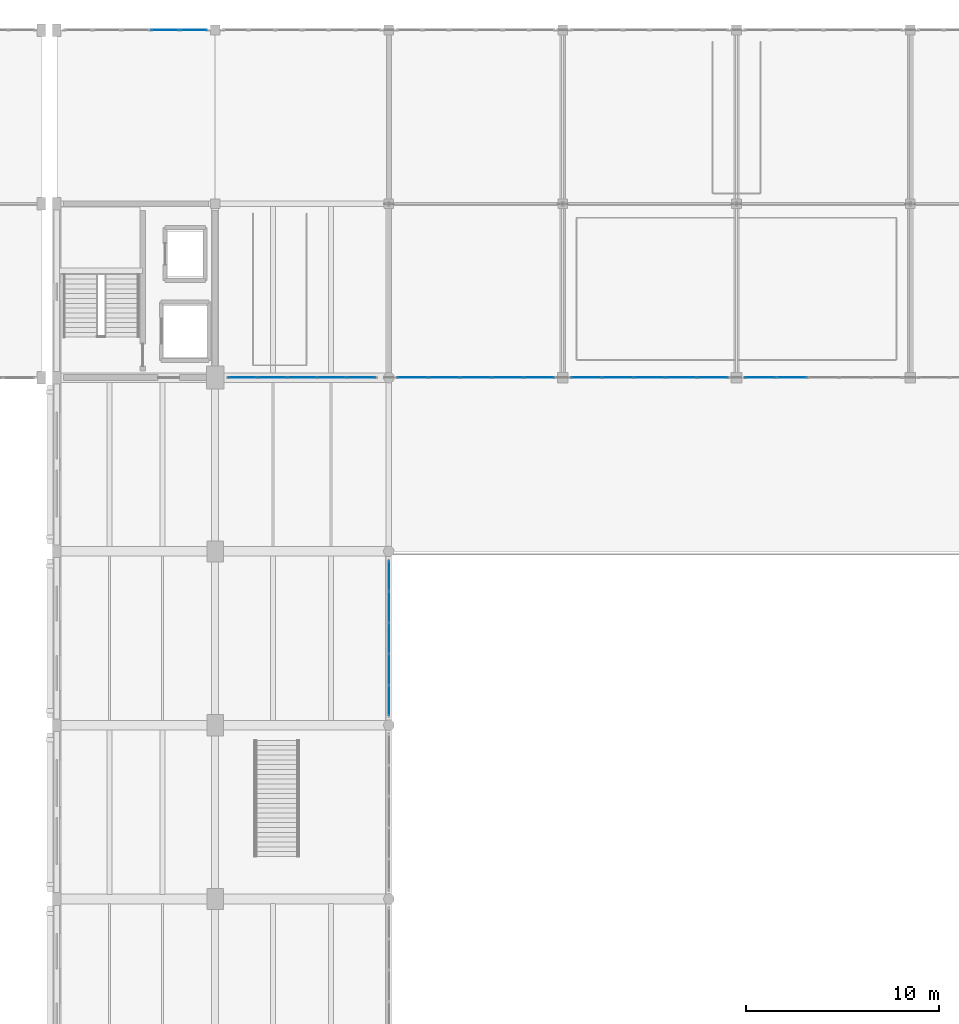
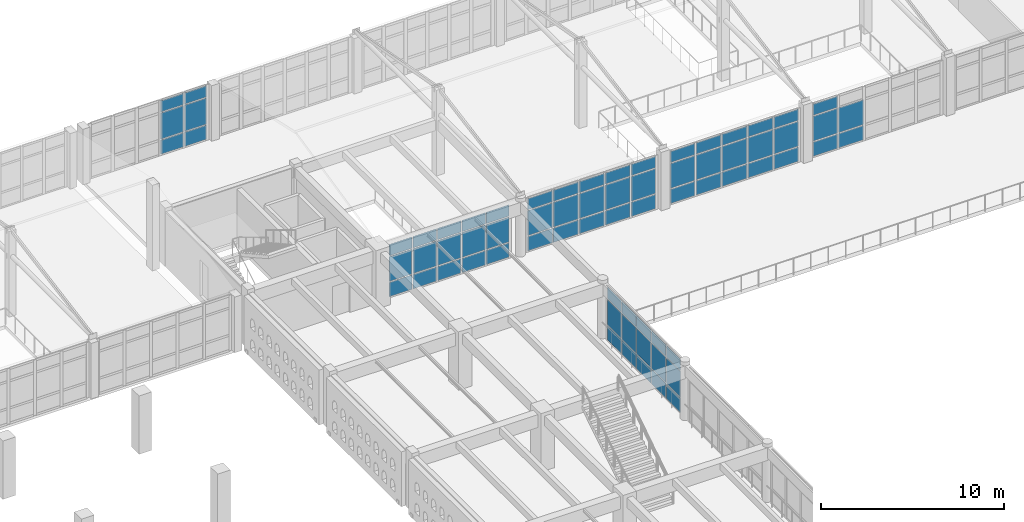
# One storey, part 115 of 156: 71 plates, 6 elements without a shape of their own.
"""IFC4 building model written with IfcOpenShell, lengths in metres."""

from ifc_helpers import new_model, si_unit, direction, frame, origin, origin_2d, place, context, subcontext, project, spatial, rectangle, extrude, material, layer, layer_set, type_object, element, aggregate, save


model = new_model("IFC4")

# Units and contexts
model_context = context("Model", 3, precision=1e-05, world=origin(), true_north=direction((0.0, 1.0)))
body_context = subcontext(model_context, "Body", "Model", "MODEL_VIEW")
ifc_project = project(units=[si_unit("LENGTHUNIT", "METRE"), si_unit("AREAUNIT", "SQUARE_METRE"), si_unit("VOLUMEUNIT", "CUBIC_METRE"), si_unit("PLANEANGLEUNIT", "RADIAN"), si_unit("MASSUNIT", "GRAM", prefix="KILO")], contexts=[model_context])

# Site, building, storey
site_placement = place(None, origin())
site = spatial("IfcSite", under=ifc_project, at=site_placement, CompositionType="ELEMENT")
building_placement = place(site_placement, origin())
building = spatial("IfcBuilding", under=site, at=building_placement, Name="Ornek Quay Market", CompositionType="ELEMENT")
storey_placement = place(building_placement, frame((0.0, 0.0, 4.5)))
storey = spatial("IfcBuildingStorey", under=building, at=storey_placement, Name="L01", CompositionType="ELEMENT", Elevation=4.5)

# Curtain wall, plates
ifc_material_1 = material(Name="Anodised bronze aluminium and triple low-e glass", Category="aluminium")
ifc_layer_1 = layer(ifc_material_1, 0.139892578125, Name="Anodised bronze aluminium and triple low-e glass", Category="aluminium")
ifc_layer_set_1 = layer_set([ifc_layer_1], Name="Anodised bronze aluminium and triple low-e glass")
curtain_wall_type_1 = type_object("IfcCurtainWallType", Name="CW-GALLERY-INT", PredefinedType="USERDEFINED", material=ifc_layer_set_1)
curtain_wall_1_placement = place(storey_placement, origin())
curtain_wall_1 = element("IfcCurtainWall", 1, at=curtain_wall_1_placement, inside=storey, type_object=curtain_wall_type_1, Name="Curtain wall CW-102", ObjectType="CURTAIN WALL", PredefinedType="USERDEFINED")
ifc_material_2 = material(Name="Toughened laminated acoustic glass", Category="glass")
ifc_layer_2 = layer(ifc_material_2, 0.01611328125, Name="Toughened laminated acoustic glass", Category="glass")
ifc_layer_set_2 = layer_set([ifc_layer_2], Name="Toughened laminated acoustic glass")
plate_type_1 = type_object("IfcPlateType", Name="PL-CW-INT-16", PredefinedType="CURTAIN_PANEL", material=ifc_layer_set_2)
plate_1_placement = place(storey_placement, frame((72.0, 75.27490234375, 0.06005859375), z_axis=(0.0, 0.0, 1.0), x_axis=(0.0, 1.0, 0.0)))
plate_1 = element("IfcPlate", 2, at=plate_1_placement, type_object=plate_type_1, Name="CW-102 panel 1.1", PredefinedType="CURTAIN_PANEL", context=body_context, shape_type="SweptSolid", body=[
    extrude(rectangle(XDim=1.530029296875, YDim=0.01611328125, at=origin_2d()), origin(), (0.0, 0.0, 1.0), 0.9599609375),
])
plate_2_placement = place(storey_placement, frame((72.0, 75.27490234375, 1.080078125), z_axis=(0.0, 0.0, 1.0), x_axis=(0.0, 1.0, 0.0)))
plate_2 = element("IfcPlate", 3, at=plate_2_placement, type_object=plate_type_1, Name="CW-102 panel 1.2", PredefinedType="CURTAIN_PANEL", context=body_context, shape_type="SweptSolid", body=[
    extrude(rectangle(XDim=1.530029296875, YDim=0.01611328125, at=origin_2d()), origin(), (0.0, 0.0, 1.0), 1.699951171875),
])
plate_3_placement = place(storey_placement, frame((72.0, 75.27490234375, 2.83984375), z_axis=(0.0, 0.0, 1.0), x_axis=(0.0, 1.0, 0.0)))
plate_3 = element("IfcPlate", 4, at=plate_3_placement, type_object=plate_type_1, Name="CW-102 panel 1.3", PredefinedType="CURTAIN_PANEL", context=body_context, shape_type="SweptSolid", body=[
    extrude(rectangle(XDim=1.530029296875, YDim=0.01611328125, at=origin_2d()), origin(), (0.0, 0.0, 1.0), 0.760009765625),
])
plate_4_placement = place(storey_placement, frame((72.0, 76.8798828125, 0.06005859375), z_axis=(0.0, 0.0, 1.0), x_axis=(0.0, 1.0, 0.0)))
plate_4 = element("IfcPlate", 5, at=plate_4_placement, type_object=plate_type_1, Name="CW-102 panel 2.1", PredefinedType="CURTAIN_PANEL", context=body_context, shape_type="SweptSolid", body=[
    extrude(rectangle(XDim=1.56005859375, YDim=0.01611328125, at=origin_2d()), origin(), (0.0, 0.0, 1.0), 0.9599609375),
])
plate_5_placement = place(storey_placement, frame((72.0, 76.8798828125, 1.080078125), z_axis=(0.0, 0.0, 1.0), x_axis=(0.0, 1.0, 0.0)))
plate_5 = element("IfcPlate", 6, at=plate_5_placement, type_object=plate_type_1, Name="CW-102 panel 2.2", PredefinedType="CURTAIN_PANEL", context=body_context, shape_type="SweptSolid", body=[
    extrude(rectangle(XDim=1.56005859375, YDim=0.01611328125, at=origin_2d()), origin(), (0.0, 0.0, 1.0), 1.699951171875),
])
plate_6_placement = place(storey_placement, frame((72.0, 76.8798828125, 2.83984375), z_axis=(0.0, 0.0, 1.0), x_axis=(0.0, 1.0, 0.0)))
plate_6 = element("IfcPlate", 7, at=plate_6_placement, type_object=plate_type_1, Name="CW-102 panel 2.3", PredefinedType="CURTAIN_PANEL", context=body_context, shape_type="SweptSolid", body=[
    extrude(rectangle(XDim=1.56005859375, YDim=0.01611328125, at=origin_2d()), origin(), (0.0, 0.0, 1.0), 0.760009765625),
])
plate_7_placement = place(storey_placement, frame((72.0, 78.5, 0.06005859375), z_axis=(0.0, 0.0, 1.0), x_axis=(0.0, 1.0, 0.0)))
plate_7 = element("IfcPlate", 8, at=plate_7_placement, type_object=plate_type_1, Name="CW-102 panel 3.1", PredefinedType="CURTAIN_PANEL", context=body_context, shape_type="SweptSolid", body=[
    extrude(rectangle(XDim=1.56005859375, YDim=0.01611328125, at=origin_2d()), origin(), (0.0, 0.0, 1.0), 0.9599609375),
])
plate_8_placement = place(storey_placement, frame((72.0, 78.5, 1.080078125), z_axis=(0.0, 0.0, 1.0), x_axis=(0.0, 1.0, 0.0)))
plate_8 = element("IfcPlate", 9, at=plate_8_placement, type_object=plate_type_1, Name="CW-102 panel 3.2", PredefinedType="CURTAIN_PANEL", context=body_context, shape_type="SweptSolid", body=[
    extrude(rectangle(XDim=1.56005859375, YDim=0.01611328125, at=origin_2d()), origin(), (0.0, 0.0, 1.0), 1.699951171875),
])
plate_9_placement = place(storey_placement, frame((72.0, 78.5, 2.83984375), z_axis=(0.0, 0.0, 1.0), x_axis=(0.0, 1.0, 0.0)))
plate_9 = element("IfcPlate", 10, at=plate_9_placement, type_object=plate_type_1, Name="CW-102 panel 3.3", PredefinedType="CURTAIN_PANEL", context=body_context, shape_type="SweptSolid", body=[
    extrude(rectangle(XDim=1.56005859375, YDim=0.01611328125, at=origin_2d()), origin(), (0.0, 0.0, 1.0), 0.760009765625),
])
plate_10_placement = place(storey_placement, frame((72.0, 80.1201171875, 0.06005859375), z_axis=(0.0, 0.0, 1.0), x_axis=(0.0, 1.0, 0.0)))
plate_10 = element("IfcPlate", 11, at=plate_10_placement, type_object=plate_type_1, Name="CW-102 panel 4.1", PredefinedType="CURTAIN_PANEL", context=body_context, shape_type="SweptSolid", body=[
    extrude(rectangle(XDim=1.56005859375, YDim=0.01611328125, at=origin_2d()), origin(), (0.0, 0.0, 1.0), 0.9599609375),
])
plate_11_placement = place(storey_placement, frame((72.0, 80.1201171875, 1.080078125), z_axis=(0.0, 0.0, 1.0), x_axis=(0.0, 1.0, 0.0)))
plate_11 = element("IfcPlate", 12, at=plate_11_placement, type_object=plate_type_1, Name="CW-102 panel 4.2", PredefinedType="CURTAIN_PANEL", context=body_context, shape_type="SweptSolid", body=[
    extrude(rectangle(XDim=1.56005859375, YDim=0.01611328125, at=origin_2d()), origin(), (0.0, 0.0, 1.0), 1.699951171875),
])
plate_12_placement = place(storey_placement, frame((72.0, 80.1201171875, 2.83984375), z_axis=(0.0, 0.0, 1.0), x_axis=(0.0, 1.0, 0.0)))
plate_12 = element("IfcPlate", 13, at=plate_12_placement, type_object=plate_type_1, Name="CW-102 panel 4.3", PredefinedType="CURTAIN_PANEL", context=body_context, shape_type="SweptSolid", body=[
    extrude(rectangle(XDim=1.56005859375, YDim=0.01611328125, at=origin_2d()), origin(), (0.0, 0.0, 1.0), 0.760009765625),
])
plate_13_placement = place(storey_placement, frame((72.0, 81.72509765625, 0.06005859375), z_axis=(0.0, 0.0, 1.0), x_axis=(0.0, 1.0, 0.0)))
plate_13 = element("IfcPlate", 14, at=plate_13_placement, type_object=plate_type_1, Name="CW-102 panel 5.1", PredefinedType="CURTAIN_PANEL", context=body_context, shape_type="SweptSolid", body=[
    extrude(rectangle(XDim=1.530029296875, YDim=0.01611328125, at=origin_2d()), origin(), (0.0, 0.0, 1.0), 0.9599609375),
])
plate_14_placement = place(storey_placement, frame((72.0, 81.72509765625, 1.080078125), z_axis=(0.0, 0.0, 1.0), x_axis=(0.0, 1.0, 0.0)))
plate_14 = element("IfcPlate", 15, at=plate_14_placement, type_object=plate_type_1, Name="CW-102 panel 5.2", PredefinedType="CURTAIN_PANEL", context=body_context, shape_type="SweptSolid", body=[
    extrude(rectangle(XDim=1.530029296875, YDim=0.01611328125, at=origin_2d()), origin(), (0.0, 0.0, 1.0), 1.699951171875),
])
plate_15_placement = place(storey_placement, frame((72.0, 81.72509765625, 2.83984375), z_axis=(0.0, 0.0, 1.0), x_axis=(0.0, 1.0, 0.0)))
plate_15 = element("IfcPlate", 16, at=plate_15_placement, type_object=plate_type_1, Name="CW-102 panel 5.3", PredefinedType="CURTAIN_PANEL", context=body_context, shape_type="SweptSolid", body=[
    extrude(rectangle(XDim=1.530029296875, YDim=0.01611328125, at=origin_2d()), origin(), (0.0, 0.0, 1.0), 0.760009765625),
])
aggregate(curtain_wall_1, [plate_1, plate_2, plate_3, plate_4, plate_5, plate_6, plate_7, plate_8, plate_9, plate_10, plate_11, plate_12, plate_13, plate_14, plate_15])

curtain_wall_2_placement = place(storey_placement, origin())
curtain_wall_2 = element("IfcCurtainWall", 17, at=curtain_wall_2_placement, inside=storey, type_object=curtain_wall_type_1, Name="Curtain wall CW-127", ObjectType="CURTAIN WALL", PredefinedType="USERDEFINED")
plate_16_placement = place(storey_placement, frame((64.436279296875, 92.0, 0.06494140625), z_axis=(0.0, 0.0, 1.0), x_axis=(1.0, 0.0, 0.0)))
plate_16 = element("IfcPlate", 18, at=plate_16_placement, type_object=plate_type_1, Name="CW-127 panel 1.1", PredefinedType="CURTAIN_PANEL", context=body_context, shape_type="SweptSolid", body=[
    extrude(rectangle(XDim=1.4423828125, YDim=0.01611328125, at=origin_2d()), origin(), (0.0, 0.0, 1.0), 0.952392578125),
])
plate_17_placement = place(storey_placement, frame((64.436279296875, 92.0, 1.08251953125), z_axis=(0.0, 0.0, 1.0), x_axis=(1.0, 0.0, 0.0)))
plate_17 = element("IfcPlate", 19, at=plate_17_placement, type_object=plate_type_1, Name="CW-127 panel 1.2", PredefinedType="CURTAIN_PANEL", context=body_context, shape_type="SweptSolid", body=[
    extrude(rectangle(XDim=1.4423828125, YDim=0.01611328125, at=origin_2d()), origin(), (0.0, 0.0, 1.0), 1.655029296875),
])
plate_18_placement = place(storey_placement, frame((64.436279296875, 92.0, 2.802490234375), z_axis=(0.0, 0.0, 1.0), x_axis=(1.0, 0.0, 0.0)))
plate_18 = element("IfcPlate", 20, at=plate_18_placement, type_object=plate_type_1, Name="CW-127 panel 1.3", PredefinedType="CURTAIN_PANEL", context=body_context, shape_type="SweptSolid", body=[
    extrude(rectangle(XDim=1.4423828125, YDim=0.01611328125, at=origin_2d()), origin(), (0.0, 0.0, 1.0), 0.75244140625),
])
plate_19_placement = place(storey_placement, frame((65.9599609375, 92.0, 0.06494140625), z_axis=(0.0, 0.0, 1.0), x_axis=(1.0, 0.0, 0.0)))
plate_19 = element("IfcPlate", 21, at=plate_19_placement, type_object=plate_type_1, Name="CW-127 panel 2.1", PredefinedType="CURTAIN_PANEL", context=body_context, shape_type="SweptSolid", body=[
    extrude(rectangle(XDim=1.47509765625, YDim=0.01611328125, at=origin_2d()), origin(), (0.0, 0.0, 1.0), 0.952392578125),
])
plate_20_placement = place(storey_placement, frame((65.9599609375, 92.0, 1.08251953125), z_axis=(0.0, 0.0, 1.0), x_axis=(1.0, 0.0, 0.0)))
plate_20 = element("IfcPlate", 22, at=plate_20_placement, type_object=plate_type_1, Name="CW-127 panel 2.2", PredefinedType="CURTAIN_PANEL", context=body_context, shape_type="SweptSolid", body=[
    extrude(rectangle(XDim=1.47509765625, YDim=0.01611328125, at=origin_2d()), origin(), (0.0, 0.0, 1.0), 1.655029296875),
])
plate_21_placement = place(storey_placement, frame((65.9599609375, 92.0, 2.802490234375), z_axis=(0.0, 0.0, 1.0), x_axis=(1.0, 0.0, 0.0)))
plate_21 = element("IfcPlate", 23, at=plate_21_placement, type_object=plate_type_1, Name="CW-127 panel 2.3", PredefinedType="CURTAIN_PANEL", context=body_context, shape_type="SweptSolid", body=[
    extrude(rectangle(XDim=1.47509765625, YDim=0.01611328125, at=origin_2d()), origin(), (0.0, 0.0, 1.0), 0.75244140625),
])
plate_22_placement = place(storey_placement, frame((67.5, 92.0, 0.06494140625), z_axis=(0.0, 0.0, 1.0), x_axis=(1.0, 0.0, 0.0)))
plate_22 = element("IfcPlate", 24, at=plate_22_placement, type_object=plate_type_1, Name="CW-127 panel 3.1", PredefinedType="CURTAIN_PANEL", context=body_context, shape_type="SweptSolid", body=[
    extrude(rectangle(XDim=1.47509765625, YDim=0.01611328125, at=origin_2d()), origin(), (0.0, 0.0, 1.0), 0.952392578125),
])
plate_23_placement = place(storey_placement, frame((67.5, 92.0, 1.08251953125), z_axis=(0.0, 0.0, 1.0), x_axis=(1.0, 0.0, 0.0)))
plate_23 = element("IfcPlate", 25, at=plate_23_placement, type_object=plate_type_1, Name="CW-127 panel 3.2", PredefinedType="CURTAIN_PANEL", context=body_context, shape_type="SweptSolid", body=[
    extrude(rectangle(XDim=1.47509765625, YDim=0.01611328125, at=origin_2d()), origin(), (0.0, 0.0, 1.0), 1.655029296875),
])
plate_24_placement = place(storey_placement, frame((67.5, 92.0, 2.802490234375), z_axis=(0.0, 0.0, 1.0), x_axis=(1.0, 0.0, 0.0)))
plate_24 = element("IfcPlate", 26, at=plate_24_placement, type_object=plate_type_1, Name="CW-127 panel 3.3", PredefinedType="CURTAIN_PANEL", context=body_context, shape_type="SweptSolid", body=[
    extrude(rectangle(XDim=1.47509765625, YDim=0.01611328125, at=origin_2d()), origin(), (0.0, 0.0, 1.0), 0.75244140625),
])
plate_25_placement = place(storey_placement, frame((69.0400390625, 92.0, 0.06494140625), z_axis=(0.0, 0.0, 1.0), x_axis=(1.0, 0.0, 0.0)))
plate_25 = element("IfcPlate", 27, at=plate_25_placement, type_object=plate_type_1, Name="CW-127 panel 4.1", PredefinedType="CURTAIN_PANEL", context=body_context, shape_type="SweptSolid", body=[
    extrude(rectangle(XDim=1.47509765625, YDim=0.01611328125, at=origin_2d()), origin(), (0.0, 0.0, 1.0), 0.952392578125),
])
plate_26_placement = place(storey_placement, frame((69.0400390625, 92.0, 1.08251953125), z_axis=(0.0, 0.0, 1.0), x_axis=(1.0, 0.0, 0.0)))
plate_26 = element("IfcPlate", 28, at=plate_26_placement, type_object=plate_type_1, Name="CW-127 panel 4.2", PredefinedType="CURTAIN_PANEL", context=body_context, shape_type="SweptSolid", body=[
    extrude(rectangle(XDim=1.47509765625, YDim=0.01611328125, at=origin_2d()), origin(), (0.0, 0.0, 1.0), 1.655029296875),
])
plate_27_placement = place(storey_placement, frame((69.0400390625, 92.0, 2.802490234375), z_axis=(0.0, 0.0, 1.0), x_axis=(1.0, 0.0, 0.0)))
plate_27 = element("IfcPlate", 29, at=plate_27_placement, type_object=plate_type_1, Name="CW-127 panel 4.3", PredefinedType="CURTAIN_PANEL", context=body_context, shape_type="SweptSolid", body=[
    extrude(rectangle(XDim=1.47509765625, YDim=0.01611328125, at=origin_2d()), origin(), (0.0, 0.0, 1.0), 0.75244140625),
])
plate_28_placement = place(storey_placement, frame((70.563720703125, 92.0, 0.06494140625), z_axis=(0.0, 0.0, 1.0), x_axis=(1.0, 0.0, 0.0)))
plate_28 = element("IfcPlate", 30, at=plate_28_placement, type_object=plate_type_1, Name="CW-127 panel 5.1", PredefinedType="CURTAIN_PANEL", context=body_context, shape_type="SweptSolid", body=[
    extrude(rectangle(XDim=1.4423828125, YDim=0.01611328125, at=origin_2d()), origin(), (0.0, 0.0, 1.0), 0.952392578125),
])
plate_29_placement = place(storey_placement, frame((70.563720703125, 92.0, 1.08251953125), z_axis=(0.0, 0.0, 1.0), x_axis=(1.0, 0.0, 0.0)))
plate_29 = element("IfcPlate", 31, at=plate_29_placement, type_object=plate_type_1, Name="CW-127 panel 5.2", PredefinedType="CURTAIN_PANEL", context=body_context, shape_type="SweptSolid", body=[
    extrude(rectangle(XDim=1.4423828125, YDim=0.01611328125, at=origin_2d()), origin(), (0.0, 0.0, 1.0), 1.655029296875),
])
plate_30_placement = place(storey_placement, frame((70.563720703125, 92.0, 2.802490234375), z_axis=(0.0, 0.0, 1.0), x_axis=(1.0, 0.0, 0.0)))
plate_30 = element("IfcPlate", 32, at=plate_30_placement, type_object=plate_type_1, Name="CW-127 panel 5.3", PredefinedType="CURTAIN_PANEL", context=body_context, shape_type="SweptSolid", body=[
    extrude(rectangle(XDim=1.4423828125, YDim=0.01611328125, at=origin_2d()), origin(), (0.0, 0.0, 1.0), 0.75244140625),
])
aggregate(curtain_wall_2, [plate_16, plate_17, plate_18, plate_19, plate_20, plate_21, plate_22, plate_23, plate_24, plate_25, plate_26, plate_27, plate_28, plate_29, plate_30])

curtain_wall_3_placement = place(storey_placement, origin())
curtain_wall_3 = element("IfcCurtainWall", 33, at=curtain_wall_3_placement, inside=storey, type_object=curtain_wall_type_1, Name="Curtain wall CW-128", ObjectType="CURTAIN WALL", PredefinedType="USERDEFINED")
plate_31_placement = place(storey_placement, frame((73.236328125, 92.0, 0.06494140625), z_axis=(0.0, 0.0, 1.0), x_axis=(1.0, 0.0, 0.0)))
plate_31 = element("IfcPlate", 34, at=plate_31_placement, type_object=plate_type_1, Name="CW-128 panel 1.1", PredefinedType="CURTAIN_PANEL", context=body_context, shape_type="SweptSolid", body=[
    extrude(rectangle(XDim=1.54248046875, YDim=0.01611328125, at=origin_2d()), origin(), (0.0, 0.0, 1.0), 0.952392578125),
])
plate_32_placement = place(storey_placement, frame((73.236328125, 92.0, 1.08251953125), z_axis=(0.0, 0.0, 1.0), x_axis=(1.0, 0.0, 0.0)))
plate_32 = element("IfcPlate", 35, at=plate_32_placement, type_object=plate_type_1, Name="CW-128 panel 1.2", PredefinedType="CURTAIN_PANEL", context=body_context, shape_type="SweptSolid", body=[
    extrude(rectangle(XDim=1.54248046875, YDim=0.01611328125, at=origin_2d()), origin(), (0.0, 0.0, 1.0), 1.655029296875),
])
plate_33_placement = place(storey_placement, frame((73.236328125, 92.0, 2.802490234375), z_axis=(0.0, 0.0, 1.0), x_axis=(1.0, 0.0, 0.0)))
plate_33 = element("IfcPlate", 36, at=plate_33_placement, type_object=plate_type_1, Name="CW-128 panel 1.3", PredefinedType="CURTAIN_PANEL", context=body_context, shape_type="SweptSolid", body=[
    extrude(rectangle(XDim=1.54248046875, YDim=0.01611328125, at=origin_2d()), origin(), (0.0, 0.0, 1.0), 0.75244140625),
])
plate_34_placement = place(storey_placement, frame((74.860107421875, 92.0, 0.06494140625), z_axis=(0.0, 0.0, 1.0), x_axis=(1.0, 0.0, 0.0)))
plate_34 = element("IfcPlate", 37, at=plate_34_placement, type_object=plate_type_1, Name="CW-128 panel 2.1", PredefinedType="CURTAIN_PANEL", context=body_context, shape_type="SweptSolid", body=[
    extrude(rectangle(XDim=1.574951171875, YDim=0.01611328125, at=origin_2d()), origin(), (0.0, 0.0, 1.0), 0.952392578125),
])
plate_35_placement = place(storey_placement, frame((74.860107421875, 92.0, 1.08251953125), z_axis=(0.0, 0.0, 1.0), x_axis=(1.0, 0.0, 0.0)))
plate_35 = element("IfcPlate", 38, at=plate_35_placement, type_object=plate_type_1, Name="CW-128 panel 2.2", PredefinedType="CURTAIN_PANEL", context=body_context, shape_type="SweptSolid", body=[
    extrude(rectangle(XDim=1.574951171875, YDim=0.01611328125, at=origin_2d()), origin(), (0.0, 0.0, 1.0), 1.655029296875),
])
plate_36_placement = place(storey_placement, frame((74.860107421875, 92.0, 2.802490234375), z_axis=(0.0, 0.0, 1.0), x_axis=(1.0, 0.0, 0.0)))
plate_36 = element("IfcPlate", 39, at=plate_36_placement, type_object=plate_type_1, Name="CW-128 panel 2.3", PredefinedType="CURTAIN_PANEL", context=body_context, shape_type="SweptSolid", body=[
    extrude(rectangle(XDim=1.574951171875, YDim=0.01611328125, at=origin_2d()), origin(), (0.0, 0.0, 1.0), 0.75244140625),
])
plate_37_placement = place(storey_placement, frame((76.5, 92.0, 0.06494140625), z_axis=(0.0, 0.0, 1.0), x_axis=(1.0, 0.0, 0.0)))
plate_37 = element("IfcPlate", 40, at=plate_37_placement, type_object=plate_type_1, Name="CW-128 panel 3.1", PredefinedType="CURTAIN_PANEL", context=body_context, shape_type="SweptSolid", body=[
    extrude(rectangle(XDim=1.574951171875, YDim=0.01611328125, at=origin_2d()), origin(), (0.0, 0.0, 1.0), 0.952392578125),
])
plate_38_placement = place(storey_placement, frame((76.5, 92.0, 1.08251953125), z_axis=(0.0, 0.0, 1.0), x_axis=(1.0, 0.0, 0.0)))
plate_38 = element("IfcPlate", 41, at=plate_38_placement, type_object=plate_type_1, Name="CW-128 panel 3.2", PredefinedType="CURTAIN_PANEL", context=body_context, shape_type="SweptSolid", body=[
    extrude(rectangle(XDim=1.574951171875, YDim=0.01611328125, at=origin_2d()), origin(), (0.0, 0.0, 1.0), 1.655029296875),
])
plate_39_placement = place(storey_placement, frame((76.5, 92.0, 2.802490234375), z_axis=(0.0, 0.0, 1.0), x_axis=(1.0, 0.0, 0.0)))
plate_39 = element("IfcPlate", 42, at=plate_39_placement, type_object=plate_type_1, Name="CW-128 panel 3.3", PredefinedType="CURTAIN_PANEL", context=body_context, shape_type="SweptSolid", body=[
    extrude(rectangle(XDim=1.574951171875, YDim=0.01611328125, at=origin_2d()), origin(), (0.0, 0.0, 1.0), 0.75244140625),
])
plate_40_placement = place(storey_placement, frame((78.139892578125, 92.0, 0.06494140625), z_axis=(0.0, 0.0, 1.0), x_axis=(1.0, 0.0, 0.0)))
plate_40 = element("IfcPlate", 43, at=plate_40_placement, type_object=plate_type_1, Name="CW-128 panel 4.1", PredefinedType="CURTAIN_PANEL", context=body_context, shape_type="SweptSolid", body=[
    extrude(rectangle(XDim=1.574951171875, YDim=0.01611328125, at=origin_2d()), origin(), (0.0, 0.0, 1.0), 0.952392578125),
])
plate_41_placement = place(storey_placement, frame((78.139892578125, 92.0, 1.08251953125), z_axis=(0.0, 0.0, 1.0), x_axis=(1.0, 0.0, 0.0)))
plate_41 = element("IfcPlate", 44, at=plate_41_placement, type_object=plate_type_1, Name="CW-128 panel 4.2", PredefinedType="CURTAIN_PANEL", context=body_context, shape_type="SweptSolid", body=[
    extrude(rectangle(XDim=1.574951171875, YDim=0.01611328125, at=origin_2d()), origin(), (0.0, 0.0, 1.0), 1.655029296875),
])
plate_42_placement = place(storey_placement, frame((78.139892578125, 92.0, 2.802490234375), z_axis=(0.0, 0.0, 1.0), x_axis=(1.0, 0.0, 0.0)))
plate_42 = element("IfcPlate", 45, at=plate_42_placement, type_object=plate_type_1, Name="CW-128 panel 4.3", PredefinedType="CURTAIN_PANEL", context=body_context, shape_type="SweptSolid", body=[
    extrude(rectangle(XDim=1.574951171875, YDim=0.01611328125, at=origin_2d()), origin(), (0.0, 0.0, 1.0), 0.75244140625),
])
plate_43_placement = place(storey_placement, frame((79.763671875, 92.0, 0.06494140625), z_axis=(0.0, 0.0, 1.0), x_axis=(1.0, 0.0, 0.0)))
plate_43 = element("IfcPlate", 46, at=plate_43_placement, type_object=plate_type_1, Name="CW-128 panel 5.1", PredefinedType="CURTAIN_PANEL", context=body_context, shape_type="SweptSolid", body=[
    extrude(rectangle(XDim=1.54248046875, YDim=0.01611328125, at=origin_2d()), origin(), (0.0, 0.0, 1.0), 0.952392578125),
])
plate_44_placement = place(storey_placement, frame((79.763671875, 92.0, 1.08251953125), z_axis=(0.0, 0.0, 1.0), x_axis=(1.0, 0.0, 0.0)))
plate_44 = element("IfcPlate", 47, at=plate_44_placement, type_object=plate_type_1, Name="CW-128 panel 5.2", PredefinedType="CURTAIN_PANEL", context=body_context, shape_type="SweptSolid", body=[
    extrude(rectangle(XDim=1.54248046875, YDim=0.01611328125, at=origin_2d()), origin(), (0.0, 0.0, 1.0), 1.655029296875),
])
plate_45_placement = place(storey_placement, frame((79.763671875, 92.0, 2.802490234375), z_axis=(0.0, 0.0, 1.0), x_axis=(1.0, 0.0, 0.0)))
plate_45 = element("IfcPlate", 48, at=plate_45_placement, type_object=plate_type_1, Name="CW-128 panel 5.3", PredefinedType="CURTAIN_PANEL", context=body_context, shape_type="SweptSolid", body=[
    extrude(rectangle(XDim=1.54248046875, YDim=0.01611328125, at=origin_2d()), origin(), (0.0, 0.0, 1.0), 0.75244140625),
])
aggregate(curtain_wall_3, [plate_31, plate_32, plate_33, plate_34, plate_35, plate_36, plate_37, plate_38, plate_39, plate_40, plate_41, plate_42, plate_43, plate_44, plate_45])

curtain_wall_4_placement = place(storey_placement, origin())
curtain_wall_4 = element("IfcCurtainWall", 49, at=curtain_wall_4_placement, inside=storey, type_object=curtain_wall_type_1, Name="Curtain wall CW-129", ObjectType="CURTAIN WALL", PredefinedType="USERDEFINED")
plate_46_placement = place(storey_placement, frame((82.236328125, 92.0, 0.06494140625), z_axis=(0.0, 0.0, 1.0), x_axis=(1.0, 0.0, 0.0)))
plate_46 = element("IfcPlate", 50, at=plate_46_placement, type_object=plate_type_1, Name="CW-129 panel 1.1", PredefinedType="CURTAIN_PANEL", context=body_context, shape_type="SweptSolid", body=[
    extrude(rectangle(XDim=1.54248046875, YDim=0.01611328125, at=origin_2d()), origin(), (0.0, 0.0, 1.0), 0.952392578125),
])
plate_47_placement = place(storey_placement, frame((82.236328125, 92.0, 1.08251953125), z_axis=(0.0, 0.0, 1.0), x_axis=(1.0, 0.0, 0.0)))
plate_47 = element("IfcPlate", 51, at=plate_47_placement, type_object=plate_type_1, Name="CW-129 panel 1.2", PredefinedType="CURTAIN_PANEL", context=body_context, shape_type="SweptSolid", body=[
    extrude(rectangle(XDim=1.54248046875, YDim=0.01611328125, at=origin_2d()), origin(), (0.0, 0.0, 1.0), 1.655029296875),
])
plate_48_placement = place(storey_placement, frame((82.236328125, 92.0, 2.802490234375), z_axis=(0.0, 0.0, 1.0), x_axis=(1.0, 0.0, 0.0)))
plate_48 = element("IfcPlate", 52, at=plate_48_placement, type_object=plate_type_1, Name="CW-129 panel 1.3", PredefinedType="CURTAIN_PANEL", context=body_context, shape_type="SweptSolid", body=[
    extrude(rectangle(XDim=1.54248046875, YDim=0.01611328125, at=origin_2d()), origin(), (0.0, 0.0, 1.0), 0.75244140625),
])
plate_49_placement = place(storey_placement, frame((83.860107421875, 92.0, 0.06494140625), z_axis=(0.0, 0.0, 1.0), x_axis=(1.0, 0.0, 0.0)))
plate_49 = element("IfcPlate", 53, at=plate_49_placement, type_object=plate_type_1, Name="CW-129 panel 2.1", PredefinedType="CURTAIN_PANEL", context=body_context, shape_type="SweptSolid", body=[
    extrude(rectangle(XDim=1.574951171875, YDim=0.01611328125, at=origin_2d()), origin(), (0.0, 0.0, 1.0), 0.952392578125),
])
plate_50_placement = place(storey_placement, frame((83.860107421875, 92.0, 1.08251953125), z_axis=(0.0, 0.0, 1.0), x_axis=(1.0, 0.0, 0.0)))
plate_50 = element("IfcPlate", 54, at=plate_50_placement, type_object=plate_type_1, Name="CW-129 panel 2.2", PredefinedType="CURTAIN_PANEL", context=body_context, shape_type="SweptSolid", body=[
    extrude(rectangle(XDim=1.574951171875, YDim=0.01611328125, at=origin_2d()), origin(), (0.0, 0.0, 1.0), 1.655029296875),
])
plate_51_placement = place(storey_placement, frame((83.860107421875, 92.0, 2.802490234375), z_axis=(0.0, 0.0, 1.0), x_axis=(1.0, 0.0, 0.0)))
plate_51 = element("IfcPlate", 55, at=plate_51_placement, type_object=plate_type_1, Name="CW-129 panel 2.3", PredefinedType="CURTAIN_PANEL", context=body_context, shape_type="SweptSolid", body=[
    extrude(rectangle(XDim=1.574951171875, YDim=0.01611328125, at=origin_2d()), origin(), (0.0, 0.0, 1.0), 0.75244140625),
])
plate_52_placement = place(storey_placement, frame((85.5, 92.0, 0.06494140625), z_axis=(0.0, 0.0, 1.0), x_axis=(1.0, 0.0, 0.0)))
plate_52 = element("IfcPlate", 56, at=plate_52_placement, type_object=plate_type_1, Name="CW-129 panel 3.1", PredefinedType="CURTAIN_PANEL", context=body_context, shape_type="SweptSolid", body=[
    extrude(rectangle(XDim=1.574951171875, YDim=0.01611328125, at=origin_2d()), origin(), (0.0, 0.0, 1.0), 0.952392578125),
])
plate_53_placement = place(storey_placement, frame((85.5, 92.0, 1.08251953125), z_axis=(0.0, 0.0, 1.0), x_axis=(1.0, 0.0, 0.0)))
plate_53 = element("IfcPlate", 57, at=plate_53_placement, type_object=plate_type_1, Name="CW-129 panel 3.2", PredefinedType="CURTAIN_PANEL", context=body_context, shape_type="SweptSolid", body=[
    extrude(rectangle(XDim=1.574951171875, YDim=0.01611328125, at=origin_2d()), origin(), (0.0, 0.0, 1.0), 1.655029296875),
])
plate_54_placement = place(storey_placement, frame((85.5, 92.0, 2.802490234375), z_axis=(0.0, 0.0, 1.0), x_axis=(1.0, 0.0, 0.0)))
plate_54 = element("IfcPlate", 58, at=plate_54_placement, type_object=plate_type_1, Name="CW-129 panel 3.3", PredefinedType="CURTAIN_PANEL", context=body_context, shape_type="SweptSolid", body=[
    extrude(rectangle(XDim=1.574951171875, YDim=0.01611328125, at=origin_2d()), origin(), (0.0, 0.0, 1.0), 0.75244140625),
])
plate_55_placement = place(storey_placement, frame((87.139892578125, 92.0, 0.06494140625), z_axis=(0.0, 0.0, 1.0), x_axis=(1.0, 0.0, 0.0)))
plate_55 = element("IfcPlate", 59, at=plate_55_placement, type_object=plate_type_1, Name="CW-129 panel 4.1", PredefinedType="CURTAIN_PANEL", context=body_context, shape_type="SweptSolid", body=[
    extrude(rectangle(XDim=1.574951171875, YDim=0.01611328125, at=origin_2d()), origin(), (0.0, 0.0, 1.0), 0.952392578125),
])
plate_56_placement = place(storey_placement, frame((87.139892578125, 92.0, 1.08251953125), z_axis=(0.0, 0.0, 1.0), x_axis=(1.0, 0.0, 0.0)))
plate_56 = element("IfcPlate", 60, at=plate_56_placement, type_object=plate_type_1, Name="CW-129 panel 4.2", PredefinedType="CURTAIN_PANEL", context=body_context, shape_type="SweptSolid", body=[
    extrude(rectangle(XDim=1.574951171875, YDim=0.01611328125, at=origin_2d()), origin(), (0.0, 0.0, 1.0), 1.655029296875),
])
plate_57_placement = place(storey_placement, frame((87.139892578125, 92.0, 2.802490234375), z_axis=(0.0, 0.0, 1.0), x_axis=(1.0, 0.0, 0.0)))
plate_57 = element("IfcPlate", 61, at=plate_57_placement, type_object=plate_type_1, Name="CW-129 panel 4.3", PredefinedType="CURTAIN_PANEL", context=body_context, shape_type="SweptSolid", body=[
    extrude(rectangle(XDim=1.574951171875, YDim=0.01611328125, at=origin_2d()), origin(), (0.0, 0.0, 1.0), 0.75244140625),
])
plate_58_placement = place(storey_placement, frame((88.763671875, 92.0, 0.06494140625), z_axis=(0.0, 0.0, 1.0), x_axis=(1.0, 0.0, 0.0)))
plate_58 = element("IfcPlate", 62, at=plate_58_placement, type_object=plate_type_1, Name="CW-129 panel 5.1", PredefinedType="CURTAIN_PANEL", context=body_context, shape_type="SweptSolid", body=[
    extrude(rectangle(XDim=1.54248046875, YDim=0.01611328125, at=origin_2d()), origin(), (0.0, 0.0, 1.0), 0.952392578125),
])
plate_59_placement = place(storey_placement, frame((88.763671875, 92.0, 1.08251953125), z_axis=(0.0, 0.0, 1.0), x_axis=(1.0, 0.0, 0.0)))
plate_59 = element("IfcPlate", 63, at=plate_59_placement, type_object=plate_type_1, Name="CW-129 panel 5.2", PredefinedType="CURTAIN_PANEL", context=body_context, shape_type="SweptSolid", body=[
    extrude(rectangle(XDim=1.54248046875, YDim=0.01611328125, at=origin_2d()), origin(), (0.0, 0.0, 1.0), 1.655029296875),
])
plate_60_placement = place(storey_placement, frame((88.763671875, 92.0, 2.802490234375), z_axis=(0.0, 0.0, 1.0), x_axis=(1.0, 0.0, 0.0)))
plate_60 = element("IfcPlate", 64, at=plate_60_placement, type_object=plate_type_1, Name="CW-129 panel 5.3", PredefinedType="CURTAIN_PANEL", context=body_context, shape_type="SweptSolid", body=[
    extrude(rectangle(XDim=1.54248046875, YDim=0.01611328125, at=origin_2d()), origin(), (0.0, 0.0, 1.0), 0.75244140625),
])
aggregate(curtain_wall_4, [plate_46, plate_47, plate_48, plate_49, plate_50, plate_51, plate_52, plate_53, plate_54, plate_55, plate_56, plate_57, plate_58, plate_59, plate_60])

curtain_wall_5_placement = place(storey_placement, origin())
curtain_wall_5 = element("IfcCurtainWall", 65, at=curtain_wall_5_placement, inside=storey, type_object=curtain_wall_type_1, Name="Curtain wall CW-130", ObjectType="CURTAIN WALL", PredefinedType="USERDEFINED")
plate_61_placement = place(storey_placement, frame((91.236328125, 92.0, 0.06494140625), z_axis=(0.0, 0.0, 1.0), x_axis=(1.0, 0.0, 0.0)))
plate_61 = element("IfcPlate", 66, at=plate_61_placement, type_object=plate_type_1, Name="CW-130 panel 1.1", PredefinedType="CURTAIN_PANEL", context=body_context, shape_type="SweptSolid", body=[
    extrude(rectangle(XDim=1.54248046875, YDim=0.01611328125, at=origin_2d()), origin(), (0.0, 0.0, 1.0), 0.952392578125),
])
plate_62_placement = place(storey_placement, frame((91.236328125, 92.0, 1.08251953125), z_axis=(0.0, 0.0, 1.0), x_axis=(1.0, 0.0, 0.0)))
plate_62 = element("IfcPlate", 67, at=plate_62_placement, type_object=plate_type_1, Name="CW-130 panel 1.2", PredefinedType="CURTAIN_PANEL", context=body_context, shape_type="SweptSolid", body=[
    extrude(rectangle(XDim=1.54248046875, YDim=0.01611328125, at=origin_2d()), origin(), (0.0, 0.0, 1.0), 1.655029296875),
])
plate_63_placement = place(storey_placement, frame((91.236328125, 92.0, 2.802490234375), z_axis=(0.0, 0.0, 1.0), x_axis=(1.0, 0.0, 0.0)))
plate_63 = element("IfcPlate", 68, at=plate_63_placement, type_object=plate_type_1, Name="CW-130 panel 1.3", PredefinedType="CURTAIN_PANEL", context=body_context, shape_type="SweptSolid", body=[
    extrude(rectangle(XDim=1.54248046875, YDim=0.01611328125, at=origin_2d()), origin(), (0.0, 0.0, 1.0), 0.75244140625),
])
plate_64_placement = place(storey_placement, frame((92.860107421875, 92.0, 0.06494140625), z_axis=(0.0, 0.0, 1.0), x_axis=(1.0, 0.0, 0.0)))
plate_64 = element("IfcPlate", 69, at=plate_64_placement, type_object=plate_type_1, Name="CW-130 panel 2.1", PredefinedType="CURTAIN_PANEL", context=body_context, shape_type="SweptSolid", body=[
    extrude(rectangle(XDim=1.574951171875, YDim=0.01611328125, at=origin_2d()), origin(), (0.0, 0.0, 1.0), 0.952392578125),
])
plate_65_placement = place(storey_placement, frame((92.860107421875, 92.0, 1.08251953125), z_axis=(0.0, 0.0, 1.0), x_axis=(1.0, 0.0, 0.0)))
plate_65 = element("IfcPlate", 70, at=plate_65_placement, type_object=plate_type_1, Name="CW-130 panel 2.2", PredefinedType="CURTAIN_PANEL", context=body_context, shape_type="SweptSolid", body=[
    extrude(rectangle(XDim=1.574951171875, YDim=0.01611328125, at=origin_2d()), origin(), (0.0, 0.0, 1.0), 1.655029296875),
])
aggregate(curtain_wall_5, [plate_61, plate_62, plate_63, plate_64, plate_65])

ifc_layer_3 = layer(ifc_material_1, 0.219970703125, Name="Anodised bronze aluminium and triple low-e glass", Category="aluminium")
ifc_layer_set_3 = layer_set([ifc_layer_3], Name="Anodised bronze aluminium and triple low-e glass")
curtain_wall_type_2 = type_object("IfcCurtainWallType", Name="CW-PORCH-MOD1500", PredefinedType="USERDEFINED", material=ifc_layer_set_3)
curtain_wall_6_placement = place(storey_placement, origin())
curtain_wall_6 = element("IfcCurtainWall", 71, at=curtain_wall_6_placement, inside=storey, type_object=curtain_wall_type_2, Name="Curtain wall CW-049", ObjectType="CURTAIN WALL", PredefinedType="USERDEFINED")
ifc_material_3 = material(Name="Triple insulated low-e glass", Category="glass")
ifc_layer_4 = layer(ifc_material_3, 0.0419921875, Name="Triple insulated low-e glass", Category="glass")
ifc_layer_set_4 = layer_set([ifc_layer_4], Name="Triple insulated low-e glass")
plate_type_2 = type_object("IfcPlateType", Name="PL-CW-TRIPLE-42", PredefinedType="CURTAIN_PANEL", material=ifc_layer_set_4)
plate_66_placement = place(storey_placement, frame((60.39990234375, 110.0, 0.06982421875), z_axis=(0.0, 0.0, 1.0), x_axis=(1.0, 0.0, 0.0)))
plate_66 = element("IfcPlate", 72, at=plate_66_placement, type_object=plate_type_2, Name="CW-049 panel 4.1", PredefinedType="CURTAIN_PANEL", context=body_context, shape_type="SweptSolid", body=[
    extrude(rectangle(XDim=1.425048828125, YDim=0.0419921875, at=origin_2d()), origin(), (0.0, 0.0, 1.0), 0.945068359375),
])
plate_67_placement = place(storey_placement, frame((60.39990234375, 110.0, 1.0849609375), z_axis=(0.0, 0.0, 1.0), x_axis=(1.0, 0.0, 0.0)))
plate_67 = element("IfcPlate", 73, at=plate_67_placement, type_object=plate_type_2, Name="CW-049 panel 4.2", PredefinedType="CURTAIN_PANEL", context=body_context, shape_type="SweptSolid", body=[
    extrude(rectangle(XDim=1.425048828125, YDim=0.0419921875, at=origin_2d()), origin(), (0.0, 0.0, 1.0), 1.739990234375),
])
plate_68_placement = place(storey_placement, frame((60.39990234375, 110.0, 2.89501953125), z_axis=(0.0, 0.0, 1.0), x_axis=(1.0, 0.0, 0.0)))
plate_68 = element("IfcPlate", 74, at=plate_68_placement, type_object=plate_type_2, Name="CW-049 panel 4.3", PredefinedType="CURTAIN_PANEL", context=body_context, shape_type="SweptSolid", body=[
    extrude(rectangle(XDim=1.425048828125, YDim=0.0419921875, at=origin_2d()), origin(), (0.0, 0.0, 1.0), 0.7451171875),
])
plate_69_placement = place(storey_placement, frame((61.88134765625, 110.0, 0.06982421875), z_axis=(0.0, 0.0, 1.0), x_axis=(1.0, 0.0, 0.0)))
plate_69 = element("IfcPlate", 75, at=plate_69_placement, type_object=plate_type_2, Name="CW-049 panel 5.1", PredefinedType="CURTAIN_PANEL", context=body_context, shape_type="SweptSolid", body=[
    extrude(rectangle(XDim=1.387451171875, YDim=0.0419921875, at=origin_2d()), origin(), (0.0, 0.0, 1.0), 0.945068359375),
])
plate_70_placement = place(storey_placement, frame((61.88134765625, 110.0, 1.0849609375), z_axis=(0.0, 0.0, 1.0), x_axis=(1.0, 0.0, 0.0)))
plate_70 = element("IfcPlate", 76, at=plate_70_placement, type_object=plate_type_2, Name="CW-049 panel 5.2", PredefinedType="CURTAIN_PANEL", context=body_context, shape_type="SweptSolid", body=[
    extrude(rectangle(XDim=1.387451171875, YDim=0.0419921875, at=origin_2d()), origin(), (0.0, 0.0, 1.0), 1.739990234375),
])
plate_71_placement = place(storey_placement, frame((61.88134765625, 110.0, 2.89501953125), z_axis=(0.0, 0.0, 1.0), x_axis=(1.0, 0.0, 0.0)))
plate_71 = element("IfcPlate", 77, at=plate_71_placement, type_object=plate_type_2, Name="CW-049 panel 5.3", PredefinedType="CURTAIN_PANEL", context=body_context, shape_type="SweptSolid", body=[
    extrude(rectangle(XDim=1.387451171875, YDim=0.0419921875, at=origin_2d()), origin(), (0.0, 0.0, 1.0), 0.7451171875),
])
aggregate(curtain_wall_6, [plate_66, plate_67, plate_68, plate_69, plate_70, plate_71])

save(model, "model.ifc")
